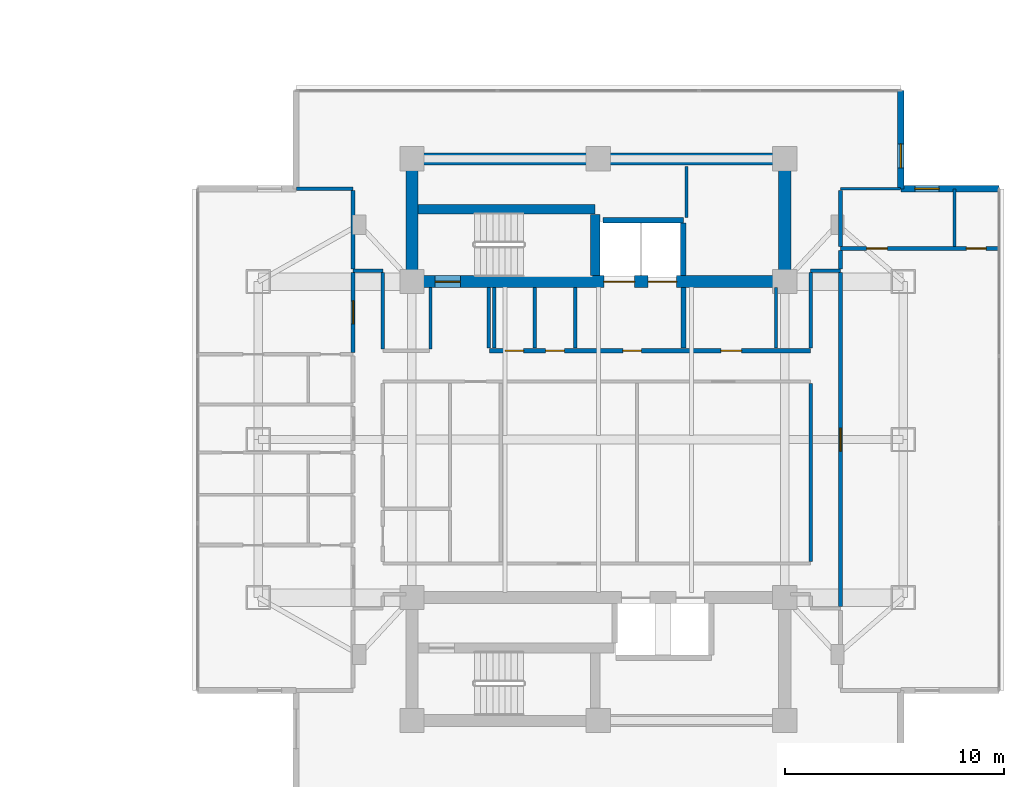
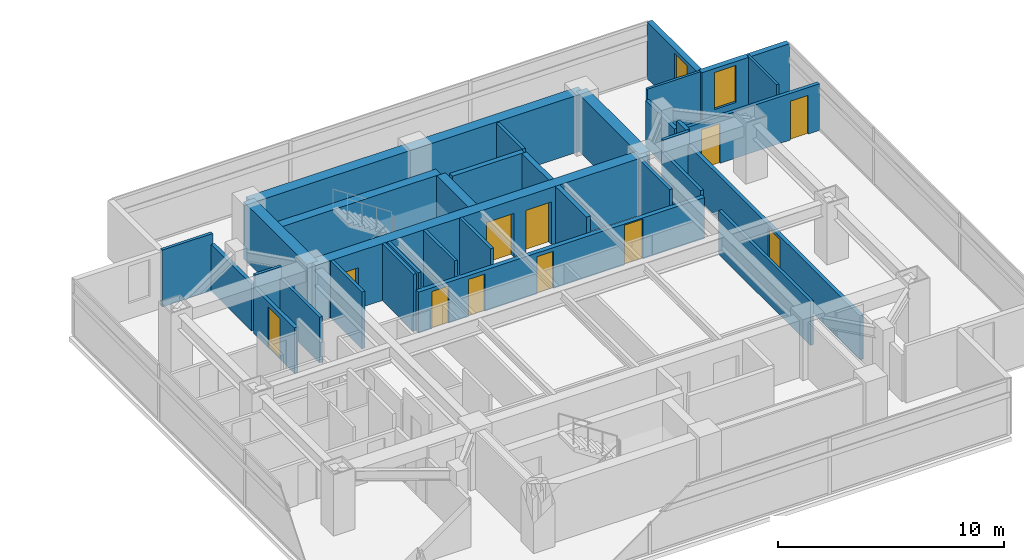
# One storey, part 17 of 24: 33 walls, 11 doors, 2 windows, 13 openings.
"""IFC4 building model written with IfcOpenShell, lengths in metres."""

from ifc_helpers import new_model, si_unit, direction, frame, frame_2d, origin, place, context, subcontext, project, spatial, rectangle, extrude, material, layer, layer_set, type_object, element, fill, save


model = new_model("IFC4")

# Units and contexts
model_context = context("Model", 3, precision=1e-05, world=origin(), true_north=direction((0.0, 1.0)))
body_context = subcontext(model_context, "Body", "Model", "MODEL_VIEW")
ifc_project = project(units=[si_unit("LENGTHUNIT", "METRE"), si_unit("AREAUNIT", "SQUARE_METRE"), si_unit("VOLUMEUNIT", "CUBIC_METRE"), si_unit("PLANEANGLEUNIT", "RADIAN"), si_unit("MASSUNIT", "GRAM", prefix="KILO")], contexts=[model_context])

# Site, building, storey
site_placement = place(None, origin())
site = spatial("IfcSite", under=ifc_project, at=site_placement, CompositionType="ELEMENT")
building_placement = place(site_placement, origin())
building = spatial("IfcBuilding", under=site, at=building_placement, Name="Mirazonda Arch Towers", CompositionType="ELEMENT")
storey_placement = place(building_placement, frame((0.0, 0.0, 137.89990234375)))
storey = spatial("IfcBuildingStorey", under=building, at=storey_placement, Name="L39", CompositionType="ELEMENT", Elevation=137.89990234375)

# Walls
ifc_material_1 = material(Name="Concrete C50/60", Category="concrete")
ifc_layer_1 = layer(ifc_material_1, 0.449951171875, Name="WALL-CORE-450")
ifc_layer_set_1 = layer_set([ifc_layer_1], Name="Concrete C50/60")
wall_type_1 = type_object("IfcWallType", Name="WALL-CORE-450", PredefinedType="SHEAR", material=ifc_layer_set_1)
wall_1_placement = place(storey_placement, frame((68.27001953125, 38.5, 0.0), z_axis=(0.0, 0.0, 1.0), x_axis=(1.0, 0.0, 0.0)))
element("IfcWall", 1, at=wall_1_placement, inside=storey, type_object=wall_type_1, Name="L39 Stair Core Shear Wall 054", PredefinedType="SHEAR", context=body_context, shape_type="SweptSolid", body=[
    extrude(rectangle(XDim=8.090087890625, YDim=0.449951171875, at=frame_2d((4.044921875, 0.0))), origin(), (0.0, 0.0, 1.0), 3.080078125),
])
wall_2_placement = place(storey_placement, frame((76.360107421875, 35.469970703125, 0.0), z_axis=(0.0, 0.0, 1.0), x_axis=(0.0, 1.0, 0.0)))
element("IfcWall", 2, at=wall_2_placement, inside=storey, type_object=wall_type_1, Name="L39 Stair Core Shear Wall 148", PredefinedType="SHEAR", context=body_context, shape_type="SweptSolid", body=[
    extrude(rectangle(XDim=2.794921875, YDim=0.449951171875, at=frame_2d((1.3974609375, 0.0))), origin(), (0.0, 0.0, 1.0), 3.080078125),
])
ifc_layer_2 = layer(ifc_material_1, 0.550048828125, Name="WALL-CORE-550")
ifc_layer_set_2 = layer_set([ifc_layer_2], Name="Concrete C50/60")
wall_type_2 = type_object("IfcWallType", Name="WALL-CORE-550", PredefinedType="SHEAR", material=ifc_layer_set_2)
wall_3_placement = place(storey_placement, frame((68.0, 40.800048828125, 0.0), z_axis=(0.0, 0.0, 1.0), x_axis=(1.0, 0.0, 0.0)))
element("IfcWall", 3, at=wall_3_placement, inside=storey, type_object=wall_type_2, Name="L39 T2N-N Core Shear Wall", PredefinedType="SHEAR", context=body_context, shape_type="SweptSolid", body=[
    extrude(rectangle(XDim=17.0, YDim=0.550048828125, at=frame_2d((8.5, 0.0))), origin(), (0.0, 0.0, 1.0), 3.080078125),
])
for number, where, z_axis, x_axis, name in (
    (4, (68.0, 35.199951171875, 0.0), (0.0, 0.0, 1.0), (0.0, 1.0, 0.0), "L39 T2N-W Core Shear Wall"),
    (5, (85.0, 35.199951171875, 0.0), (0.0, 0.0, 1.0), (0.0, 1.0, 0.0), "L39 T2N-E Core Shear Wall"),
):
    element("IfcWall", number, at=place(storey_placement, frame(where, z_axis=z_axis, x_axis=x_axis)), inside=storey, type_object=wall_type_2, Name=name, PredefinedType="SHEAR", context=body_context, shape_type="SweptSolid", body=[
        extrude(rectangle(XDim=5.60009765625, YDim=0.550048828125, at=frame_2d((2.800048828125, 0.0))), origin(), (0.0, 0.0, 1.0), 3.080078125),
    ])

# Wall, openings, doors
wall_4_placement = place(storey_placement, frame((68.0, 35.199951171875, 0.0), z_axis=(0.0, 0.0, 1.0), x_axis=(1.0, 0.0, 0.0)))
wall_4 = element("IfcWall", 6, at=wall_4_placement, inside=storey, type_object=wall_type_2, Name="L39 T2N-S Core Shear Wall", PredefinedType="SHEAR", context=body_context, shape_type="SweptSolid", body=[
    extrude(rectangle(XDim=17.0, YDim=0.550048828125, at=frame_2d((8.5, 0.0))), origin(), (0.0, 0.0, 1.0), 3.080078125),
])
opening_1_placement = place(wall_4_placement, frame((1.06005859375, 0.0, 0.0)))
opening_1 = element("IfcOpeningElement", 7, at=opening_1_placement, cuts=wall_4, Name="Opening DR-135", PredefinedType="OPENING", context=body_context, shape_type="SweptSolid", body=[
    extrude(rectangle(XDim=1.14990234375, YDim=2.199951171875, at=frame_2d((0.574951171875, 1.10009765625))), frame((0.0, 0.284912109375, 0.0), z_axis=(0.0, -1.0, 0.0), x_axis=(1.0, 0.0, 0.0)), (0.0, 0.0, 1.0), 0.570068359375),
])
opening_2_placement = place(wall_4_placement, frame((8.75, 0.0, 0.0)))
opening_2 = element("IfcOpeningElement", 8, at=opening_2_placement, cuts=wall_4, Name="Opening LD-112", PredefinedType="OPENING", context=body_context, shape_type="SweptSolid", body=[
    extrude(rectangle(XDim=1.39990234375, YDim=2.35009765625, at=frame_2d((0.699951171875, 1.175048828125))), frame((0.0, 0.284912109375, 0.0), z_axis=(0.0, -1.0, 0.0), x_axis=(1.0, 0.0, 0.0)), (0.0, 0.0, 1.0), 0.570068359375),
])
opening_3_placement = place(wall_4_placement, frame((10.77001953125, 0.0, 0.0)))
opening_3 = element("IfcOpeningElement", 9, at=opening_3_placement, cuts=wall_4, Name="Opening LD-111", PredefinedType="OPENING", context=body_context, shape_type="SweptSolid", body=[
    extrude(rectangle(XDim=1.300048828125, YDim=2.300048828125, at=frame_2d((0.64990234375, 1.14990234375))), frame((0.0, 0.284912109375, 0.0), z_axis=(0.0, -1.0, 0.0), x_axis=(1.0, 0.0, 0.0)), (0.0, 0.0, 1.0), 0.570068359375),
])
ifc_material_2 = material(Name="Architectural Brushed Steel S355", Category="steel")
door_type_1 = type_object("IfcDoorType", Name="DOOR-LIFT-FFL-1400", OperationType="NOTDEFINED", PredefinedType="DOOR", material=ifc_material_2)
door_1_placement = place(opening_2_placement, origin())
door_1 = element("IfcDoor", 10, at=door_1_placement, inside=storey, type_object=door_type_1, Name="L39 Lift Landing Sliding Door FFL-T2", OperationType="DOUBLE_DOOR_SLIDING", OverallHeight=2.35009765625, OverallWidth=1.39990234375, PredefinedType="DOOR", context=body_context, shape_type="SweptSolid", body=[
    extrude(rectangle(XDim=1.39990234375, YDim=2.35009765625, at=frame_2d((0.699951171875, 1.175048828125))), frame((0.0, 0.02490234375, 0.0), z_axis=(0.0, -1.0, 0.0), x_axis=(1.0, 0.0, 0.0)), (0.0, 0.0, 1.0), 0.050048828125),
])
fill(opening_2, door_1)
door_type_2 = type_object("IfcDoorType", Name="DOOR-LIFT-LAND-1300", OperationType="NOTDEFINED", PredefinedType="DOOR", material=ifc_material_2)
door_2_placement = place(opening_3_placement, origin())
door_2 = element("IfcDoor", 11, at=door_2_placement, inside=storey, type_object=door_type_2, Name="L39 Lift Landing Sliding Door SVL-T2", OperationType="DOUBLE_DOOR_SLIDING", OverallHeight=2.300048828125, OverallWidth=1.300048828125, PredefinedType="DOOR", context=body_context, shape_type="SweptSolid", body=[
    extrude(rectangle(XDim=1.300048828125, YDim=2.300048828125, at=frame_2d((0.64990234375, 1.14990234375))), frame((0.0, 0.02490234375, 0.0), z_axis=(0.0, -1.0, 0.0), x_axis=(1.0, 0.0, 0.0)), (0.0, 0.0, 1.0), 0.050048828125),
])
fill(opening_3, door_2)
door_type_3 = type_object("IfcDoorType", Name="DOOR-STAIR-FD90-1150", OperationType="NOTDEFINED", PredefinedType="DOOR", material=ifc_material_2)
door_3_placement = place(opening_1_placement, origin())
door_3 = element("IfcDoor", 12, at=door_3_placement, inside=storey, type_object=door_type_3, Name="L39 East Protected Stair North Door", OperationType="SINGLE_SWING_RIGHT", OverallHeight=2.199951171875, OverallWidth=1.14990234375, PredefinedType="DOOR", context=body_context, shape_type="SweptSolid", body=[
    extrude(rectangle(XDim=1.14990234375, YDim=2.199951171875, at=frame_2d((0.574951171875, 1.10009765625))), frame((0.0, 0.02490234375, 0.0), z_axis=(0.0, -1.0, 0.0), x_axis=(1.0, 0.0, 0.0)), (0.0, 0.0, 1.0), 0.050048828125),
])
fill(opening_1, door_3)

# Wall, opening, window
ifc_material_3 = material(Name="Precast Concrete C40/50", Category="concrete")
ifc_layer_3 = layer(ifc_material_3, 0.280029296875, Name="WALL-EXT-WALL-280")
ifc_layer_set_3 = layer_set([ifc_layer_3], Name="Precast Concrete C40/50")
wall_type_3 = type_object("IfcWallType", Name="WALL-EXT-WALL-280", PredefinedType="SOLIDWALL", material=ifc_layer_set_3)
wall_5_placement = place(storey_placement, frame((90.28662109375, 39.432373046875, 0.0), z_axis=(0.0, 0.0, 1.0), x_axis=(0.0, 1.0, 0.0)))
wall_5 = element("IfcWall", 13, at=wall_5_placement, inside=storey, type_object=wall_type_3, Name="L39 T2 Notched NE Corner Wall WL-L39-T2-CNE", PredefinedType="SOLIDWALL", context=body_context, shape_type="SweptSolid", body=[
    extrude(rectangle(XDim=4.486328125, YDim=0.280029296875, at=frame_2d((2.2431640625, 0.0))), origin(), (0.0, 0.0, 1.0), 3.06005859375),
])
opening_4_placement = place(wall_5_placement, frame((0.949951171875, 0.0, 0.85009765625)))
opening_4 = element("IfcOpeningElement", 14, at=opening_4_placement, cuts=wall_5, Name="Opening WN-108", PredefinedType="OPENING", context=body_context, shape_type="SweptSolid", body=[
    extrude(rectangle(XDim=1.10009765625, YDim=2.0, at=frame_2d((0.550048828125, 1.0))), frame((0.0, 0.14990234375, 0.0), z_axis=(0.0, -1.0, 0.0), x_axis=(1.0, 0.0, 0.0)), (0.0, 0.0, 1.0), 0.300048828125),
])
ifc_material_4 = material(Name="Insulated Low-E Solar Glass", Category="glass")
window_type = type_object("IfcWindowType", Name="WIN-NOTCH-1100x2000", PartitioningType="SINGLE_PANEL", PredefinedType="WINDOW", material=ifc_material_4)
window_1_placement = place(opening_4_placement, origin())
window_1 = element("IfcWindow", 15, at=window_1_placement, inside=storey, type_object=window_type, Name="L39 Punched Facade Window WN-L39-T2-CNE", OverallHeight=2.0, OverallWidth=1.10009765625, PartitioningType="SINGLE_PANEL", PredefinedType="WINDOW", context=body_context, shape_type="SweptSolid", body=[
    extrude(rectangle(XDim=1.10009765625, YDim=2.0, at=frame_2d((0.550048828125, 1.0))), frame((0.0, 0.030029296875, 0.0), z_axis=(0.0, -1.0, 0.0), x_axis=(1.0, 0.0, 0.0)), (0.0, 0.0, 1.0), 0.06005859375),
])
fill(opening_4, window_1)

wall_6_placement = place(storey_placement, frame((94.77294921875, 39.432373046875, 0.0), z_axis=(0.0, 0.0, 1.0), x_axis=(-1.0, 0.0, 0.0)))
wall_6 = element("IfcWall", 16, at=wall_6_placement, inside=storey, type_object=wall_type_3, Name="L39 T2 Corner Notch Return Wall WL-L39-T2-CNE2", PredefinedType="SOLIDWALL", context=body_context, shape_type="SweptSolid", body=[
    extrude(rectangle(XDim=4.486328125, YDim=0.280029296875, at=frame_2d((2.2431640625, 0.0))), origin(), (0.0, 0.0, 1.0), 3.06005859375),
])
opening_5_placement = place(wall_6_placement, frame((2.737060546875, 0.0, 0.85009765625)))
opening_5 = element("IfcOpeningElement", 17, at=opening_5_placement, cuts=wall_6, Name="Opening WN-108", PredefinedType="OPENING", context=body_context, shape_type="SweptSolid", body=[
    extrude(rectangle(XDim=1.10009765625, YDim=2.0, at=frame_2d((0.550048828125, 1.0))), frame((0.0, 0.14990234375, 0.0), z_axis=(0.0, -1.0, 0.0), x_axis=(1.0, 0.0, 0.0)), (0.0, 0.0, 1.0), 0.300048828125),
])
window_2_placement = place(opening_5_placement, origin())
window_2 = element("IfcWindow", 18, at=window_2_placement, inside=storey, type_object=window_type, Name="L39 Punched Facade Window WN-L39-T2-CNE2", OverallHeight=2.0, OverallWidth=1.10009765625, PartitioningType="SINGLE_PANEL", PredefinedType="WINDOW", context=body_context, shape_type="SweptSolid", body=[
    extrude(rectangle(XDim=1.10009765625, YDim=2.0, at=frame_2d((0.550048828125, 1.0))), frame((0.0, 0.030029296875, 0.0), z_axis=(0.0, -1.0, 0.0), x_axis=(1.0, 0.0, 0.0)), (0.0, 0.0, 1.0), 0.06005859375),
])
fill(opening_5, window_2)

# Wall, openings, doors
ifc_material_5 = material(Name="Concrete C40/50", Category="concrete")
ifc_layer_4 = layer(ifc_material_5, 0.219970703125, Name="WALL-FFL-220")
ifc_layer_set_4 = layer_set([ifc_layer_4], Name="Concrete C40/50")
wall_type_4 = type_object("IfcWallType", Name="WALL-FFL-220", PredefinedType="SOLIDWALL", material=ifc_layer_set_4)
wall_7_placement = place(storey_placement, frame((71.550048828125, 32.050048828125, 0.0), z_axis=(0.0, 0.0, 1.0), x_axis=(1.0, 0.0, 0.0)))
wall_7 = element("IfcWall", 19, at=wall_7_placement, inside=storey, type_object=wall_type_4, Name="L39 Interior Partition 043", PredefinedType="SOLIDWALL", context=body_context, shape_type="SweptSolid", body=[
    extrude(rectangle(XDim=14.6298828125, YDim=0.219970703125, at=frame_2d((7.31494140625, 0.0))), origin(), (0.0, 0.0, 1.0), 2.216064453125),
])
opening_6_placement = place(wall_7_placement, frame((6.06494140625, 0.0, 0.0)))
opening_6 = element("IfcOpeningElement", 20, at=opening_6_placement, cuts=wall_7, Name="Opening DR-128", PredefinedType="OPENING", context=body_context, shape_type="SweptSolid", body=[
    extrude(rectangle(XDim=0.85009765625, YDim=2.010009765625, at=frame_2d((0.425048828125, 1.0048828125))), frame((0.0, 0.119873046875, 0.0), z_axis=(0.0, -1.0, 0.0), x_axis=(1.0, 0.0, 0.0)), (0.0, 0.0, 1.0), 0.239990234375),
])
opening_7_placement = place(wall_7_placement, frame((10.534912109375, 0.0, 0.0)))
opening_7 = element("IfcOpeningElement", 21, at=opening_7_placement, cuts=wall_7, Name="Opening DR-104", PredefinedType="OPENING", context=body_context, shape_type="SweptSolid", body=[
    extrude(rectangle(XDim=0.949951171875, YDim=2.14990234375, at=frame_2d((0.47509765625, 1.074951171875))), frame((0.0, 0.119873046875, 0.0), z_axis=(0.0, -1.0, 0.0), x_axis=(1.0, 0.0, 0.0)), (0.0, 0.0, 1.0), 0.239990234375),
])
opening_8_placement = place(wall_7_placement, frame((0.699951171875, 0.0, 0.0)))
opening_8 = element("IfcOpeningElement", 22, at=opening_8_placement, cuts=wall_7, Name="Opening DR-128", PredefinedType="OPENING", context=body_context, shape_type="SweptSolid", body=[
    extrude(rectangle(XDim=0.85009765625, YDim=2.010009765625, at=frame_2d((0.425048828125, 1.0048828125))), frame((0.0, 0.119873046875, 0.0), z_axis=(0.0, -1.0, 0.0), x_axis=(1.0, 0.0, 0.0)), (0.0, 0.0, 1.0), 0.239990234375),
])
opening_9_placement = place(wall_7_placement, frame((2.550048828125, 0.0, 0.0)))
opening_9 = element("IfcOpeningElement", 23, at=opening_9_placement, cuts=wall_7, Name="Opening DR-128", PredefinedType="OPENING", context=body_context, shape_type="SweptSolid", body=[
    extrude(rectangle(XDim=0.85009765625, YDim=2.010009765625, at=frame_2d((0.425048828125, 1.0048828125))), frame((0.0, 0.119873046875, 0.0), z_axis=(0.0, -1.0, 0.0), x_axis=(1.0, 0.0, 0.0)), (0.0, 0.0, 1.0), 0.239990234375),
])
door_type_4 = type_object("IfcDoorType", Name="DOOR-RISER-FD60-850", OperationType="NOTDEFINED", PredefinedType="DOOR", material=ifc_material_2)
door_4_placement = place(opening_6_placement, origin())
door_4 = element("IfcDoor", 24, at=door_4_placement, inside=storey, type_object=door_type_4, Name="L39 East Firefighting Lift Lobby Door", OperationType="SINGLE_SWING_LEFT", OverallHeight=2.010009765625, OverallWidth=0.85009765625, PredefinedType="DOOR", context=body_context, shape_type="SweptSolid", body=[
    extrude(rectangle(XDim=0.85009765625, YDim=2.010009765625, at=frame_2d((0.425048828125, 1.0048828125))), frame((0.0, 0.02490234375, 0.0), z_axis=(0.0, -1.0, 0.0), x_axis=(1.0, 0.0, 0.0)), (0.0, 0.0, 1.0), 0.050048828125),
])
fill(opening_6, door_4)
door_5_placement = place(opening_8_placement, origin())
door_5 = element("IfcDoor", 25, at=door_5_placement, inside=storey, type_object=door_type_4, Name="L39 Tower 2 Electrical Room Door", OperationType="SINGLE_SWING_LEFT", OverallHeight=2.010009765625, OverallWidth=0.85009765625, PredefinedType="DOOR", context=body_context, shape_type="SweptSolid", body=[
    extrude(rectangle(XDim=0.85009765625, YDim=2.010009765625, at=frame_2d((0.425048828125, 1.0048828125))), frame((0.0, 0.02490234375, 0.0), z_axis=(0.0, -1.0, 0.0), x_axis=(1.0, 0.0, 0.0)), (0.0, 0.0, 1.0), 0.050048828125),
])
fill(opening_8, door_5)
door_6_placement = place(opening_9_placement, origin())
door_6 = element("IfcDoor", 26, at=door_6_placement, inside=storey, type_object=door_type_4, Name="L39 Tower 2 Cleaners Store Door", OperationType="SINGLE_SWING_RIGHT", OverallHeight=2.010009765625, OverallWidth=0.85009765625, PredefinedType="DOOR", context=body_context, shape_type="SweptSolid", body=[
    extrude(rectangle(XDim=0.85009765625, YDim=2.010009765625, at=frame_2d((0.425048828125, 1.0048828125))), frame((0.0, 0.02490234375, 0.0), z_axis=(0.0, -1.0, 0.0), x_axis=(1.0, 0.0, 0.0)), (0.0, 0.0, 1.0), 0.050048828125),
])
fill(opening_9, door_6)
door_type_5 = type_object("IfcDoorType", Name="DOOR-ROOM-950", OperationType="NOTDEFINED", PredefinedType="DOOR", material=ifc_material_2)
door_7_placement = place(opening_7_placement, origin())
door_7 = element("IfcDoor", 27, at=door_7_placement, inside=storey, type_object=door_type_5, Name="L39 East Sky Reading Library Door", OperationType="SINGLE_SWING_RIGHT", OverallHeight=2.14990234375, OverallWidth=0.949951171875, PredefinedType="DOOR", context=body_context, shape_type="SweptSolid", body=[
    extrude(rectangle(XDim=0.949951171875, YDim=2.14990234375, at=frame_2d((0.47509765625, 1.074951171875))), frame((0.0, 0.02490234375, 0.0), z_axis=(0.0, -1.0, 0.0), x_axis=(1.0, 0.0, 0.0)), (0.0, 0.0, 1.0), 0.050048828125),
])
fill(opening_7, door_7)

# Walls
wall_8_placement = place(storey_placement, frame((80.3798828125, 32.169921875, 0.0), z_axis=(0.0, 0.0, 1.0), x_axis=(0.0, 1.0, 0.0)))
element("IfcWall", 28, at=wall_8_placement, inside=storey, type_object=wall_type_4, Name="L39 Interior Partition 151", PredefinedType="SOLIDWALL", context=body_context, shape_type="SweptSolid", body=[
    extrude(rectangle(XDim=2.760009765625, YDim=0.219970703125, at=frame_2d((1.3798828125, 0.0))), origin(), (0.0, 0.0, 1.0), 3.080078125),
])
ifc_material_6 = material(Name="Fire-Rated Gypsum Stud Partition")
ifc_layer_5 = layer(ifc_material_6, 0.14990234375, Name="WALL-PART-CORR-150")
ifc_layer_set_5 = layer_set([ifc_layer_5], Name="Fire-Rated Gypsum Stud Partition")
wall_type_5 = type_object("IfcWallType", Name="WALL-PART-CORR-150", PredefinedType="PARTITIONING", material=ifc_layer_set_5)
wall_9_placement = place(storey_placement, frame((65.320068359375, 35.699951171875, 0.0), z_axis=(0.0, 0.0, 1.0), x_axis=(1.0, 0.0, 0.0)))
element("IfcWall", 29, at=wall_9_placement, inside=storey, type_object=wall_type_5, Name="L39 Interior Partition 049", PredefinedType="PARTITIONING", context=body_context, shape_type="SweptSolid", body=[
    extrude(rectangle(XDim=1.35986328125, YDim=0.14990234375, at=frame_2d((0.679931640625, 0.0))), origin(), (0.0, 0.0, 1.0), 3.080078125),
])
wall_10_placement = place(storey_placement, frame((86.179931640625, 35.699951171875, 0.0), z_axis=(0.0, 0.0, 1.0), x_axis=(1.0, 0.0, 0.0)))
element("IfcWall", 30, at=wall_10_placement, inside=storey, type_object=wall_type_5, Name="L39 Interior Partition 050", PredefinedType="PARTITIONING", context=body_context, shape_type="SweptSolid", body=[
    extrude(rectangle(XDim=1.360107421875, YDim=0.14990234375, at=frame_2d((0.68017578125, 0.0))), origin(), (0.0, 0.0, 1.0), 3.080078125),
])
wall_11_placement = place(storey_placement, frame((62.7333984375, 39.431884765625, 0.0), z_axis=(0.0, 0.0, 1.0), x_axis=(1.0, 0.0, 0.0)))
element("IfcWall", 31, at=wall_11_placement, inside=storey, type_object=wall_type_5, Name="L39 Interior Partition 055", PredefinedType="PARTITIONING", context=body_context, shape_type="SweptSolid", body=[
    extrude(rectangle(XDim=2.586669921875, YDim=0.14990234375, at=frame_2d((1.29345703125, 0.0))), origin(), (0.0, 0.0, 1.0), 3.080078125),
])
wall_12_placement = place(storey_placement, frame((66.679931640625, 32.135009765625, 0.0), z_axis=(0.0, 0.0, 1.0), x_axis=(0.0, 1.0, 0.0)))
element("IfcWall", 32, at=wall_12_placement, inside=storey, type_object=wall_type_5, Name="L39 Interior Partition 138", PredefinedType="PARTITIONING", context=body_context, shape_type="SweptSolid", body=[
    extrude(rectangle(XDim=3.47998046875, YDim=0.14990234375, at=frame_2d((1.739990234375, 0.0))), origin(), (0.0, 0.0, 1.0), 2.47216796875),
])
wall_13_placement = place(storey_placement, frame((68.85009765625, 32.135009765625, 0.0), z_axis=(0.0, 0.0, 1.0), x_axis=(0.0, 1.0, 0.0)))
element("IfcWall", 33, at=wall_13_placement, inside=storey, type_object=wall_type_5, Name="L39 Interior Partition 139", PredefinedType="PARTITIONING", context=body_context, shape_type="SweptSolid", body=[
    extrude(rectangle(XDim=2.794921875, YDim=0.14990234375, at=frame_2d((1.3974609375, 0.0))), origin(), (0.0, 0.0, 1.0), 3.080078125),
])
for number, where, z_axis, x_axis, name in (
    (34, (71.5, 32.169921875, 0.0), (0.0, 0.0, 1.0), (0.0, 1.0, 0.0), "L39 Interior Partition 142"),
    (35, (71.75, 32.169921875, 0.0), (0.0, 0.0, 1.0), (0.0, 1.0, 0.0), "L39 Interior Partition 143"),
    (36, (73.60009765625, 32.169921875, 0.0), (0.0, 0.0, 1.0), (0.0, 1.0, 0.0), "L39 Interior Partition 145"),
    (37, (75.449951171875, 32.169921875, 0.0), (0.0, 0.0, 1.0), (0.0, 1.0, 0.0), "L39 Interior Partition 146"),
):
    element("IfcWall", number, at=place(storey_placement, frame(where, z_axis=z_axis, x_axis=x_axis)), inside=storey, type_object=wall_type_5, Name=name, PredefinedType="PARTITIONING", context=body_context, shape_type="SweptSolid", body=[
        extrude(rectangle(XDim=2.760009765625, YDim=0.14990234375, at=frame_2d((1.3798828125, 0.0))), origin(), (0.0, 0.0, 1.0), 3.080078125),
    ])
wall_14_placement = place(storey_placement, frame((80.52001953125, 38.135009765625, 0.0), z_axis=(0.0, 0.0, 1.0), x_axis=(0.0, 1.0, 0.0)))
element("IfcWall", 38, at=wall_14_placement, inside=storey, type_object=wall_type_5, Name="L39 Interior Partition 153", PredefinedType="PARTITIONING", context=body_context, shape_type="SweptSolid", body=[
    extrude(rectangle(XDim=2.31494140625, YDim=0.14990234375, at=frame_2d((1.157470703125, 0.0))), origin(), (0.0, 0.0, 1.0), 3.080078125),
])
wall_15_placement = place(storey_placement, frame((84.60009765625, 32.169921875, 0.0), z_axis=(0.0, 0.0, 1.0), x_axis=(0.0, 1.0, 0.0)))
element("IfcWall", 39, at=wall_15_placement, inside=storey, type_object=wall_type_5, Name="L39 Interior Partition 155", PredefinedType="PARTITIONING", context=body_context, shape_type="SweptSolid", body=[
    extrude(rectangle(XDim=2.760009765625, YDim=0.14990234375, at=frame_2d((1.3798828125, 0.0))), origin(), (0.0, 0.0, 1.0), 3.080078125),
])
wall_16_placement = place(storey_placement, frame((86.179931640625, 22.43505859375, 0.0), z_axis=(0.0, 0.0, 1.0), x_axis=(0.0, 1.0, 0.0)))
element("IfcWall", 40, at=wall_16_placement, inside=storey, type_object=wall_type_5, Name="L39 Interior Partition 157", PredefinedType="PARTITIONING", context=body_context, shape_type="SweptSolid", body=[
    extrude(rectangle(XDim=8.1298828125, YDim=0.14990234375, at=frame_2d((4.06494140625, 0.0))), origin(), (0.0, 0.0, 1.0), 2.3759765625),
])
wall_17_placement = place(storey_placement, frame((86.179931640625, 32.169921875, 0.0), z_axis=(0.0, 0.0, 1.0), x_axis=(0.0, 1.0, 0.0)))
element("IfcWall", 41, at=wall_17_placement, inside=storey, type_object=wall_type_5, Name="L39 Interior Partition 158", PredefinedType="PARTITIONING", context=body_context, shape_type="SweptSolid", body=[
    extrude(rectangle(XDim=3.445068359375, YDim=0.14990234375, at=frame_2d((1.72265625, 0.0))), origin(), (0.0, 0.0, 1.0), 2.47216796875),
])

# Wall, openings, doors
ifc_material_7 = material(Name="Fire-Rated Gypsum Twin-Stud Assembly")
ifc_layer_6 = layer(ifc_material_7, 0.179931640625, Name="WALL-PART-DEMISE-180")
ifc_layer_set_6 = layer_set([ifc_layer_6], Name="Fire-Rated Gypsum Twin-Stud Assembly")
wall_type_6 = type_object("IfcWallType", Name="WALL-PART-DEMISE-180", PredefinedType="PARTITIONING", material=ifc_layer_set_6)
wall_18_placement = place(storey_placement, frame((87.5400390625, 36.7119140625, 0.0), z_axis=(0.0, 0.0, 1.0), x_axis=(1.0, 0.0, 0.0)))
wall_18 = element("IfcWall", 42, at=wall_18_placement, inside=storey, type_object=wall_type_6, Name="L39 Interior Partition 051", PredefinedType="PARTITIONING", context=body_context, shape_type="SweptSolid", body=[
    extrude(rectangle(XDim=7.23291015625, YDim=0.179931640625, at=frame_2d((3.616455078125, 0.0))), origin(), (0.0, 0.0, 1.0), 2.523193359375),
])
opening_10_placement = place(wall_18_placement, frame((1.19140625, 0.0, 0.0)))
opening_10 = element("IfcOpeningElement", 43, at=opening_10_placement, cuts=wall_18, Name="Opening DR-104", PredefinedType="OPENING", context=body_context, shape_type="SweptSolid", body=[
    extrude(rectangle(XDim=0.949951171875, YDim=2.14990234375, at=frame_2d((0.47509765625, 1.074951171875))), frame((0.0, 0.099853515625, 0.0), z_axis=(0.0, -1.0, 0.0), x_axis=(1.0, 0.0, 0.0)), (0.0, 0.0, 1.0), 0.199951171875),
])
opening_11_placement = place(wall_18_placement, frame((5.742919921875, 0.0, 0.0)))
opening_11 = element("IfcOpeningElement", 44, at=opening_11_placement, cuts=wall_18, Name="Opening DR-120", PredefinedType="OPENING", context=body_context, shape_type="SweptSolid", body=[
    extrude(rectangle(XDim=0.89990234375, YDim=2.10009765625, at=frame_2d((0.449951171875, 1.050048828125))), frame((0.0, 0.099853515625, 0.0), z_axis=(0.0, -1.0, 0.0), x_axis=(1.0, 0.0, 0.0)), (0.0, 0.0, 1.0), 0.199951171875),
])
door_8_placement = place(opening_10_placement, origin())
door_8 = element("IfcDoor", 45, at=door_8_placement, inside=storey, type_object=door_type_5, Name="L39 Suite Bedroom 1 Door", OperationType="SINGLE_SWING_LEFT", OverallHeight=2.14990234375, OverallWidth=0.949951171875, PredefinedType="DOOR", context=body_context, shape_type="SweptSolid", body=[
    extrude(rectangle(XDim=0.949951171875, YDim=2.14990234375, at=frame_2d((0.47509765625, 1.074951171875))), frame((0.0, 0.02490234375, 0.0), z_axis=(0.0, -1.0, 0.0), x_axis=(1.0, 0.0, 0.0)), (0.0, 0.0, 1.0), 0.050048828125),
])
fill(opening_10, door_8)
door_type_6 = type_object("IfcDoorType", Name="DOOR-WC-900", OperationType="NOTDEFINED", PredefinedType="DOOR", material=ifc_material_2)
door_9_placement = place(opening_11_placement, origin())
door_9 = element("IfcDoor", 46, at=door_9_placement, inside=storey, type_object=door_type_6, Name="L39 Suite En-Suite Bathroom 1 Door", OperationType="SINGLE_SWING_RIGHT", OverallHeight=2.10009765625, OverallWidth=0.89990234375, PredefinedType="DOOR", context=body_context, shape_type="SweptSolid", body=[
    extrude(rectangle(XDim=0.89990234375, YDim=2.10009765625, at=frame_2d((0.449951171875, 1.050048828125))), frame((0.0, 0.02490234375, 0.0), z_axis=(0.0, -1.0, 0.0), x_axis=(1.0, 0.0, 0.0)), (0.0, 0.0, 1.0), 0.050048828125),
])
fill(opening_11, door_9)

# Wall, opening, door
wall_19_placement = place(storey_placement, frame((65.320068359375, 31.98095703125, 0.0), z_axis=(0.0, 0.0, 1.0), x_axis=(0.0, 1.0, 0.0)))
wall_19 = element("IfcWall", 47, at=wall_19_placement, inside=storey, type_object=wall_type_6, Name="L39 Interior Partition 133", PredefinedType="PARTITIONING", context=body_context, shape_type="SweptSolid", body=[
    extrude(rectangle(XDim=3.634033203125, YDim=0.179931640625, at=frame_2d((1.81689453125, 0.0))), origin(), (0.0, 0.0, 1.0), 2.47216796875),
])
opening_12_placement = place(wall_19_placement, frame((1.2919921875, 0.0, 0.0)))
opening_12 = element("IfcOpeningElement", 48, at=opening_12_placement, cuts=wall_19, Name="Opening DR-121", PredefinedType="OPENING", context=body_context, shape_type="SweptSolid", body=[
    extrude(rectangle(XDim=1.050048828125, YDim=2.199951171875, at=frame_2d((0.52490234375, 1.10009765625))), frame((0.0, 0.099853515625, 0.0), z_axis=(0.0, -1.0, 0.0), x_axis=(1.0, 0.0, 0.0)), (0.0, 0.0, 1.0), 0.199951171875),
])
door_type_7 = type_object("IfcDoorType", Name="DOOR-SUITE-FD60-1050", OperationType="NOTDEFINED", PredefinedType="DOOR", material=ifc_material_2)
door_10_placement = place(opening_12_placement, origin())
door_10 = element("IfcDoor", 49, at=door_10_placement, inside=storey, type_object=door_type_7, Name="L39 King Hotel Guestroom 3 Door", OperationType="SINGLE_SWING_LEFT", OverallHeight=2.199951171875, OverallWidth=1.050048828125, PredefinedType="DOOR", context=body_context, shape_type="SweptSolid", body=[
    extrude(rectangle(XDim=1.050048828125, YDim=2.199951171875, at=frame_2d((0.52490234375, 1.10009765625))), frame((0.0, 0.02490234375, 0.0), z_axis=(0.0, -1.0, 0.0), x_axis=(1.0, 0.0, 0.0)), (0.0, 0.0, 1.0), 0.050048828125),
])
fill(opening_12, door_10)

# Wall
wall_20_placement = place(storey_placement, frame((65.320068359375, 35.784912109375, 0.0), z_axis=(0.0, 0.0, 1.0), x_axis=(0.0, 1.0, 0.0)))
element("IfcWall", 50, at=wall_20_placement, inside=storey, type_object=wall_type_6, Name="L39 Interior Partition 134", PredefinedType="PARTITIONING", context=body_context, shape_type="SweptSolid", body=[
    extrude(rectangle(XDim=3.56201171875, YDim=0.179931640625, at=frame_2d((1.781005859375, 0.0))), origin(), (0.0, 0.0, 1.0), 2.523193359375),
])

# Wall, opening, door
wall_21_placement = place(storey_placement, frame((87.5400390625, 20.385009765625, 0.0), z_axis=(0.0, 0.0, 1.0), x_axis=(0.0, 1.0, 0.0)))
wall_21 = element("IfcWall", 51, at=wall_21_placement, inside=storey, type_object=wall_type_6, Name="L39 Interior Partition 160", PredefinedType="PARTITIONING", context=body_context, shape_type="SweptSolid", body=[
    extrude(rectangle(XDim=15.22998046875, YDim=0.179931640625, at=frame_2d((7.614990234375, 0.0))), origin(), (0.0, 0.0, 1.0), 2.3759765625),
])
opening_13_placement = place(wall_21_placement, frame((7.090087890625, 0.0, 0.0)))
opening_13 = element("IfcOpeningElement", 52, at=opening_13_placement, cuts=wall_21, Name="Opening DR-121", PredefinedType="OPENING", context=body_context, shape_type="SweptSolid", body=[
    extrude(rectangle(XDim=1.050048828125, YDim=2.199951171875, at=frame_2d((0.52490234375, 1.10009765625))), frame((0.0, 0.099853515625, 0.0), z_axis=(0.0, -1.0, 0.0), x_axis=(1.0, 0.0, 0.0)), (0.0, 0.0, 1.0), 0.199951171875),
])
door_11_placement = place(opening_13_placement, origin())
door_11 = element("IfcDoor", 53, at=door_11_placement, inside=storey, type_object=door_type_7, Name="L39 Presidential Hotel Suite 1 Door", OperationType="SINGLE_SWING_RIGHT", OverallHeight=2.199951171875, OverallWidth=1.050048828125, PredefinedType="DOOR", context=body_context, shape_type="SweptSolid", body=[
    extrude(rectangle(XDim=1.050048828125, YDim=2.199951171875, at=frame_2d((0.52490234375, 1.10009765625))), frame((0.0, 0.02490234375, 0.0), z_axis=(0.0, -1.0, 0.0), x_axis=(1.0, 0.0, 0.0)), (0.0, 0.0, 1.0), 0.050048828125),
])
fill(opening_13, door_11)

# Walls
wall_22_placement = place(storey_placement, frame((87.5400390625, 35.784912109375, 0.0), z_axis=(0.0, 0.0, 1.0), x_axis=(0.0, 1.0, 0.0)))
element("IfcWall", 54, at=wall_22_placement, inside=storey, type_object=wall_type_6, Name="L39 Interior Partition 161", PredefinedType="PARTITIONING", context=body_context, shape_type="SweptSolid", body=[
    extrude(rectangle(XDim=0.8271484375, YDim=0.179931640625, at=frame_2d((0.41357421875, 0.0))), origin(), (0.0, 0.0, 1.0), 3.080078125),
])
wall_23_placement = place(storey_placement, frame((87.5400390625, 36.81201171875, 0.0), z_axis=(0.0, 0.0, 1.0), x_axis=(0.0, 1.0, 0.0)))
element("IfcWall", 55, at=wall_23_placement, inside=storey, type_object=wall_type_6, Name="L39 Interior Partition 162", PredefinedType="PARTITIONING", context=body_context, shape_type="SweptSolid", body=[
    extrude(rectangle(XDim=2.547607421875, YDim=0.179931640625, at=frame_2d((1.27392578125, 0.0))), origin(), (0.0, 0.0, 1.0), 2.523193359375),
])
ifc_material_8 = material(Name="Acoustic Fire-Rated Gypsum Partition")
ifc_layer_7 = layer(ifc_material_8, 0.125, Name="WALL-PART-UNIT-125")
ifc_layer_set_7 = layer_set([ifc_layer_7], Name="Acoustic Fire-Rated Gypsum Partition")
wall_type_7 = type_object("IfcWallType", Name="WALL-PART-UNIT-125", PredefinedType="PARTITIONING", material=ifc_layer_set_7)
wall_24_placement = place(storey_placement, frame((87.5400390625, 39.431884765625, 0.0), z_axis=(0.0, 0.0, 1.0), x_axis=(1.0, 0.0, 0.0)))
element("IfcWall", 56, at=wall_24_placement, inside=storey, type_object=wall_type_7, Name="L39 Interior Partition 056", PredefinedType="PARTITIONING", context=body_context, shape_type="SweptSolid", body=[
    extrude(rectangle(XDim=2.7265625, YDim=0.125, at=frame_2d((1.36328125, 0.0))), origin(), (0.0, 0.0, 1.0), 3.080078125),
])
wall_25_placement = place(storey_placement, frame((92.73291015625, 36.81201171875, 0.0), z_axis=(0.0, 0.0, 1.0), x_axis=(0.0, 1.0, 0.0)))
element("IfcWall", 57, at=wall_25_placement, inside=storey, type_object=wall_type_7, Name="L39 Interior Partition 163", PredefinedType="PARTITIONING", context=body_context, shape_type="SweptSolid", body=[
    extrude(rectangle(XDim=2.619873046875, YDim=0.125, at=frame_2d((1.31005859375, 0.0))), origin(), (0.0, 0.0, 1.0), 3.080078125),
])
ifc_layer_8 = layer(ifc_material_5, 0.25, Name="WALL-SHAFT-250")
ifc_layer_set_8 = layer_set([ifc_layer_8], Name="Concrete C40/50")
wall_type_8 = type_object("IfcWallType", Name="WALL-SHAFT-250", PredefinedType="SOLIDWALL", material=ifc_layer_set_8)
wall_26_placement = place(storey_placement, frame((76.719970703125, 38.0, 0.0), z_axis=(0.0, 0.0, 1.0), x_axis=(1.0, 0.0, 0.0)))
element("IfcWall", 58, at=wall_26_placement, inside=storey, type_object=wall_type_8, Name="L39 Interior Partition 053", PredefinedType="SOLIDWALL", context=body_context, shape_type="SweptSolid", body=[
    extrude(rectangle(XDim=3.659912109375, YDim=0.25, at=frame_2d((1.830078125, 0.0))), origin(), (0.0, 0.0, 1.0), 3.080078125),
])
wall_27_placement = place(storey_placement, frame((80.3798828125, 35.469970703125, 0.0), z_axis=(0.0, 0.0, 1.0), x_axis=(0.0, 1.0, 0.0)))
element("IfcWall", 59, at=wall_27_placement, inside=storey, type_object=wall_type_8, Name="L39 Interior Partition 152", PredefinedType="SOLIDWALL", context=body_context, shape_type="SweptSolid", body=[
    extrude(rectangle(XDim=2.39501953125, YDim=0.25, at=frame_2d((1.197509765625, 0.0))), origin(), (0.0, 0.0, 1.0), 3.080078125),
])

save(model, "model.ifc")
